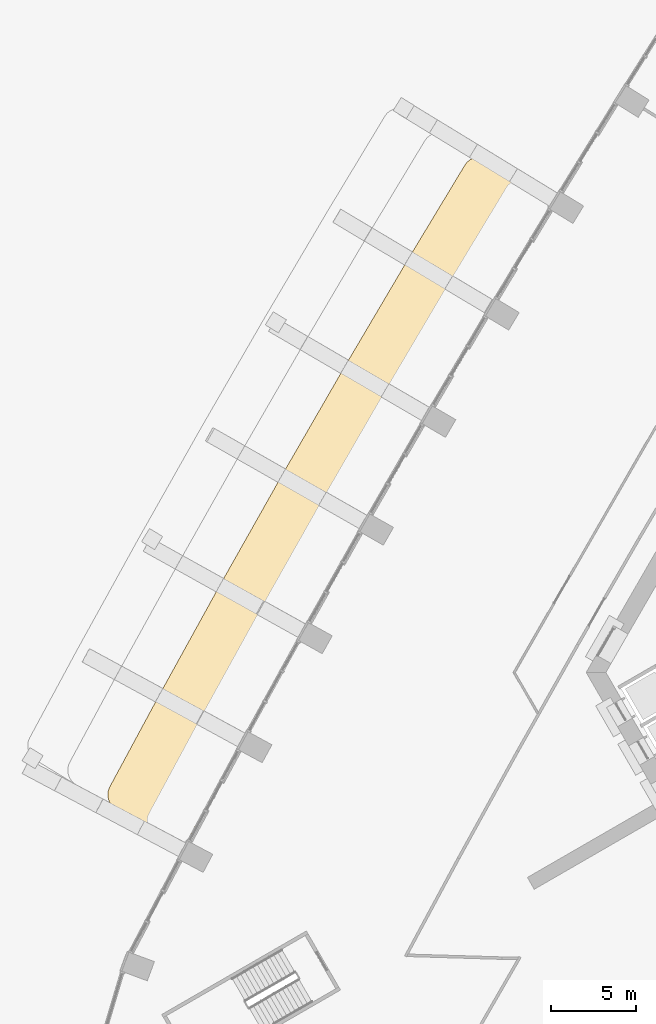
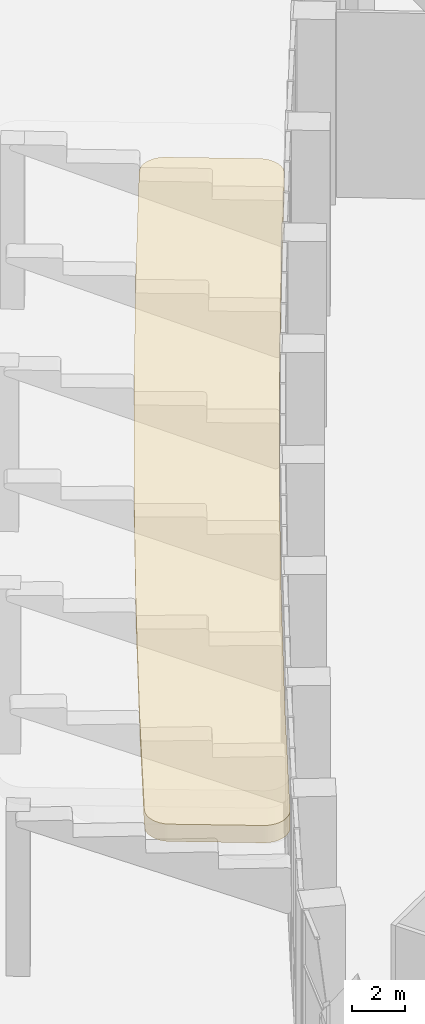
# One storey, part 26 of 36: 1 covering.
"""IFC4 building model written with IfcOpenShell, lengths in metres."""

from ifc_helpers import new_model, si_unit, direction, frame, origin, place, context, subcontext, project, spatial, polyline, outline, extrude, material, type_object, element, save


model = new_model("IFC4")

# Units and contexts
model_context = context("Model", 3, precision=1e-05, world=origin(), true_north=direction((0.0, 1.0)))
body_context = subcontext(model_context, "Body", "Model", "MODEL_VIEW")
ifc_project = project(units=[si_unit("LENGTHUNIT", "METRE"), si_unit("AREAUNIT", "SQUARE_METRE"), si_unit("VOLUMEUNIT", "CUBIC_METRE"), si_unit("PLANEANGLEUNIT", "RADIAN"), si_unit("MASSUNIT", "GRAM", prefix="KILO")], contexts=[model_context])

# Site, building, storey
site_placement = place(None, origin())
site = spatial("IfcSite", under=ifc_project, at=site_placement, CompositionType="ELEMENT")
building_placement = place(site_placement, origin())
building = spatial("IfcBuilding", under=site, at=building_placement, Name="Entoto Arch Interchange Tower", CompositionType="ELEMENT")
storey_placement = place(building_placement, origin())
storey = spatial("IfcBuildingStorey", under=building, at=storey_placement, Name="L00", CompositionType="ELEMENT", Elevation=0.0)

# Covering
ifc_material = material(Name="Board-marked precast concrete C50/60", Category="concrete")
covering_type = type_object("IfcCoveringType", Name="PRECAST FRAME COURSE", PredefinedType="CLADDING", material=ifc_material)
covering_placement = place(storey_placement, frame((0.0, 0.0, 6.0)))
element("IfcCovering", 1, at=covering_placement, inside=storey, type_object=covering_type, Name="Street brow NW 3", PredefinedType="CLADDING", context=body_context, shape_type="SweptSolid", body=[
    extrude(outline(polyline([(-38.9150390625, 1.14892578125), (-38.9130859375, 1.154052734375), (-38.889892578125, 1.196044921875), (-38.886962890625, 1.200927734375), (-35.35302734375, 7.60498046875), (-35.35009765625, 7.610107421875), (-35.326904296875, 7.65087890625), (-35.323974609375, 7.656005859375), (-31.72802734375, 14.027099609375), (-31.72509765625, 14.031982421875), (-31.700927734375, 14.073974609375), (-31.698974609375, 14.077880859375), (-28.041015625, 20.4130859375), (-28.0390625, 20.4169921875), (-28.014892578125, 20.458984375), (-28.011962890625, 20.462890625), (-24.29296875, 26.763916015625), (-24.2900390625, 26.76806640625), (-24.264892578125, 26.80908203125), (-24.262939453125, 26.81298828125), (-20.985107421875, 32.2451171875), (-20.929931640625, 32.326904296875), (-20.867919921875, 32.403076171875), (-20.798095703125, 32.471923828125), (-20.720947265625, 32.534912109375), (-20.638916015625, 32.589111328125), (-20.552001953125, 32.635009765625), (-20.4609375, 32.672119140625), (-20.366943359375, 32.699951171875), (-20.27001953125, 32.718994140625), (-20.172119140625, 32.72802734375), (-20.072998046875, 32.72705078125), (-19.97509765625, 32.717041015625), (-19.87890625, 32.697021484375), (-19.784912109375, 32.66796875), (-19.694091796875, 32.62890625), (-19.60791015625, 32.58203125), (-16.62109375, 30.757080078125), (-16.5400390625, 30.701904296875), (-16.465087890625, 30.638916015625), (-16.39697265625, 30.569091796875), (-16.3349609375, 30.492919921875), (-16.281982421875, 30.412109375), (-16.236083984375, 30.324951171875), (-16.198974609375, 30.23388671875), (-16.1708984375, 30.14111328125), (-16.153076171875, 30.044921875), (-16.14404296875, 29.947021484375), (-16.14404296875, 29.85009765625), (-16.154052734375, 29.751953125), (-16.174072265625, 29.656005859375), (-16.202880859375, 29.56298828125), (-16.239990234375, 29.472900390625), (-16.287109375, 29.386962890625), (-19.552978515625, 23.97412109375), (-23.27490234375, 17.6689453125), (-26.93505859375, 11.330078125), (-30.533935546875, 4.9541015625), (-34.071044921875, -1.455078125), (-37.047119140625, -6.97412109375), (-37.095947265625, -7.055908203125), (-37.153076171875, -7.132080078125), (-37.217041015625, -7.202880859375), (-37.2880859375, -7.26806640625), (-37.364013671875, -7.325927734375), (-37.445068359375, -7.375), (-37.531005859375, -7.4169921875), (-37.62109375, -7.450927734375), (-37.712890625, -7.47607421875), (-37.806884765625, -7.491943359375), (-37.902099609375, -7.4990234375), (-37.998046875, -7.4970703125), (-38.093017578125, -7.485107421875), (-38.18603515625, -7.465087890625), (-38.277099609375, -7.43603515625), (-38.364990234375, -7.39794921875), (-38.448974609375, -7.35205078125), (-41.43896484375, -5.52392578125), (-41.52294921875, -5.467041015625), (-41.60009765625, -5.402099609375), (-41.669921875, -5.330078125), (-41.73291015625, -5.25), (-41.787109375, -5.1650390625), (-41.8330078125, -5.074951171875), (-41.868896484375, -4.97998046875), (-41.89501953125, -4.883056640625), (-41.910888671875, -4.782958984375), (-41.91796875, -4.681884765625), (-41.9140625, -4.5810546875), (-41.89990234375, -4.48095703125), (-41.875, -4.383056640625), (-41.841064453125, -4.2880859375), (-41.798095703125, -4.196044921875), (-38.9150390625, 1.14892578125)])), origin(), (0.0, 0.0, 1.0), 0.800048828125),
])

save(model, "model.ifc")
